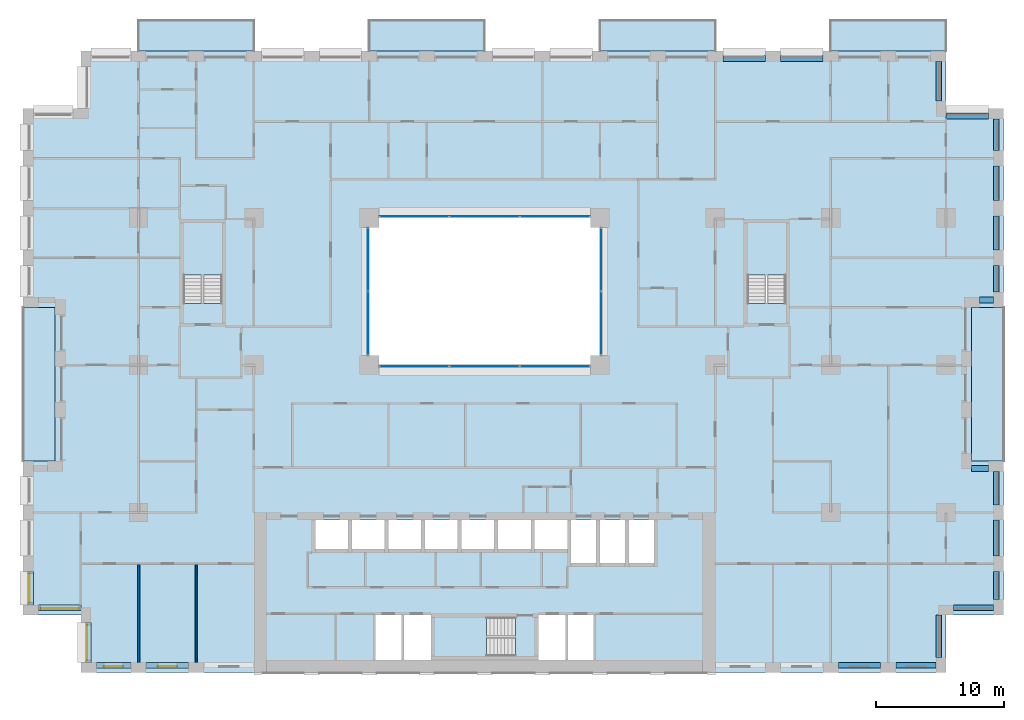
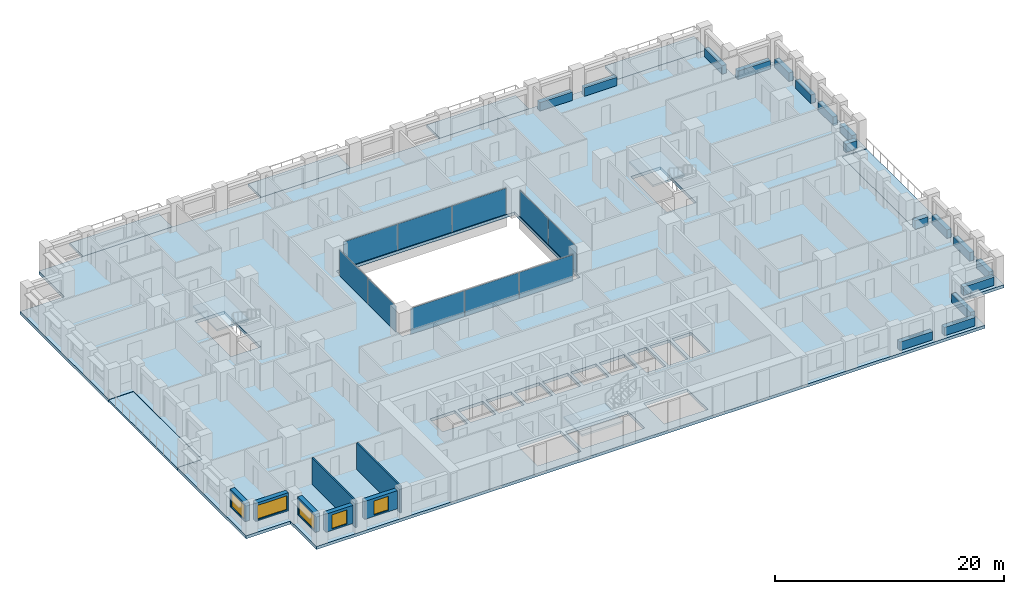
# One storey, part 8 of 19: 17 beams, 10 plates, 10 slabs, 7 walls, 5 windows, 5 openings, 7 elements without a shape of their own.
"""IFC4 building model written with IfcOpenShell, lengths in metres."""

from ifc_helpers import new_model, si_unit, direction, frame, frame_2d, origin, origin_2d, place, context, subcontext, project, spatial, polyline, rectangle, outline, extrude, material, layer, layer_set, material_profile, profile_set, type_object, element, fill, aggregate, save


model = new_model("IFC4")

# Units and contexts
model_context = context("Model", 3, precision=1e-05, world=origin(), true_north=direction((0.0, 1.0)))
body_context = subcontext(model_context, "Body", "Model", "MODEL_VIEW")
ifc_project = project(units=[si_unit("LENGTHUNIT", "METRE"), si_unit("AREAUNIT", "SQUARE_METRE"), si_unit("VOLUMEUNIT", "CUBIC_METRE"), si_unit("PLANEANGLEUNIT", "RADIAN"), si_unit("MASSUNIT", "GRAM", prefix="KILO")], contexts=[model_context])

# Site, building, storey
site_placement = place(None, origin())
site = spatial("IfcSite", under=ifc_project, at=site_placement, CompositionType="ELEMENT")
building_placement = place(site_placement, origin())
building = spatial("IfcBuilding", under=site, at=building_placement, Name="Brigalow Station Residences", CompositionType="ELEMENT")
storey_placement = place(building_placement, frame((0.0, 0.0, 32.10009765625)))
storey = spatial("IfcBuildingStorey", under=building, at=storey_placement, Name="L08", CompositionType="ELEMENT", Elevation=32.10009765625)

# Beams
ifc_material_1 = material(Name="Concrete C65", Category="concrete")
ifc_material_profile = material_profile(ifc_material_1, rectangle(XDim=0.449951171875, YDim=0.89990234375, at=origin_2d()), Name="RC450x900")
ifc_profile_set = profile_set([ifc_material_profile], Name="Concrete C65")
beam_type = type_object("IfcBeamType", Name="SPANDREL BEAM 450x900 C65", PredefinedType="SPANDREL", material=ifc_profile_set)
beam_1_placement = place(storey_placement, frame((63.60009765625, 0.574951171875, 0.449951171875), z_axis=(1.0, 0.0, 0.0), x_axis=(0.0, 1.0, 0.0)))
element("IfcBeam", 1, at=beam_1_placement, inside=storey, type_object=beam_type, Name="L08/spandrel/W-L08-7", PredefinedType="SPANDREL", context=body_context, shape_type="SweptSolid", body=[
    extrude(rectangle(XDim=0.449951171875, YDim=0.89990234375, at=origin_2d()), origin(), (0.0, 0.0, 1.0), 3.2998046875),
])
beam_2_placement = place(storey_placement, frame((68.10009765625, 0.574951171875, 0.449951171875), z_axis=(1.0, 0.0, 0.0), x_axis=(0.0, 1.0, 0.0)))
element("IfcBeam", 2, at=beam_2_placement, inside=storey, type_object=beam_type, Name="L08/spandrel/W-L08-8", PredefinedType="SPANDREL", context=body_context, shape_type="SweptSolid", body=[
    extrude(rectangle(XDim=0.449951171875, YDim=0.89990234375, at=origin_2d()), origin(), (0.0, 0.0, 1.0), 3.099853515625),
])
beam_3_placement = place(storey_placement, frame((71.425048828125, 1.199951171875, 0.449951171875), z_axis=(0.0, 1.0, 0.0), x_axis=(-1.0, 0.0, 0.0)))
element("IfcBeam", 3, at=beam_3_placement, inside=storey, type_object=beam_type, Name="L08/spandrel/W-L08-9", PredefinedType="SPANDREL", context=body_context, shape_type="SweptSolid", body=[
    extrude(rectangle(XDim=0.449951171875, YDim=0.89990234375, at=origin_2d()), origin(), (0.0, 0.0, 1.0), 3.300048828125),
])
beam_4_placement = place(storey_placement, frame((72.60009765625, 5.074951171875, 0.449951171875), z_axis=(1.0, 0.0, 0.0), x_axis=(0.0, 1.0, 0.0)))
element("IfcBeam", 4, at=beam_4_placement, inside=storey, type_object=beam_type, Name="L08/spandrel/W-L08-10", PredefinedType="SPANDREL", context=body_context, shape_type="SweptSolid", body=[
    extrude(rectangle(XDim=0.449951171875, YDim=0.89990234375, at=origin_2d()), origin(), (0.0, 0.0, 1.0), 3.099853515625),
])
beam_5_placement = place(storey_placement, frame((75.925048828125, 5.699951171875, 0.449951171875), z_axis=(0.0, 1.0, 0.0), x_axis=(-1.0, 0.0, 0.0)))
element("IfcBeam", 5, at=beam_5_placement, inside=storey, type_object=beam_type, Name="L08/spandrel/W-L08-11", PredefinedType="SPANDREL", context=body_context, shape_type="SweptSolid", body=[
    extrude(rectangle(XDim=0.449951171875, YDim=0.89990234375, at=origin_2d()), origin(), (0.0, 0.0, 1.0), 2.199951171875),
])
beam_6_placement = place(storey_placement, frame((75.925048828125, 9.10009765625, 0.449951171875), z_axis=(0.0, 1.0, 0.0), x_axis=(-1.0, 0.0, 0.0)))
element("IfcBeam", 6, at=beam_6_placement, inside=storey, type_object=beam_type, Name="L08/spandrel/W-L08-12", PredefinedType="SPANDREL", context=body_context, shape_type="SweptSolid", body=[
    extrude(rectangle(XDim=0.449951171875, YDim=0.89990234375, at=origin_2d()), origin(), (0.0, 0.0, 1.0), 2.7998046875),
])
beam_7_placement = place(storey_placement, frame((75.925048828125, 13.10009765625, 0.449951171875), z_axis=(0.0, 1.0, 0.0), x_axis=(-1.0, 0.0, 0.0)))
element("IfcBeam", 7, at=beam_7_placement, inside=storey, type_object=beam_type, Name="L08/spandrel/W-L08-13", PredefinedType="SPANDREL", context=body_context, shape_type="SweptSolid", body=[
    extrude(rectangle(XDim=0.449951171875, YDim=0.89990234375, at=origin_2d()), origin(), (0.0, 0.0, 1.0), 2.599853515625),
])
beam_8_placement = place(storey_placement, frame((75.300048828125, 15.925048828125, 0.449951171875), z_axis=(-1.0, 0.0, 0.0), x_axis=(0.0, -1.0, 0.0)))
element("IfcBeam", 8, at=beam_8_placement, inside=storey, type_object=beam_type, Name="L08/spandrel/W-L08-14", PredefinedType="SPANDREL", context=body_context, shape_type="SweptSolid", body=[
    extrude(rectangle(XDim=0.449951171875, YDim=0.89990234375, at=origin_2d()), origin(), (0.0, 0.0, 1.0), 1.300048828125),
])
beam_9_placement = place(storey_placement, frame((74.60009765625, 29.074951171875, 0.449951171875), z_axis=(1.0, 0.0, 0.0), x_axis=(0.0, 1.0, 0.0)))
element("IfcBeam", 9, at=beam_9_placement, inside=storey, type_object=beam_type, Name="L08/spandrel/W-L08-18", PredefinedType="SPANDREL", context=body_context, shape_type="SweptSolid", body=[
    extrude(rectangle(XDim=0.449951171875, YDim=0.89990234375, at=origin_2d()), origin(), (0.0, 0.0, 1.0), 1.099853515625),
])
beam_10_placement = place(storey_placement, frame((75.925048828125, 29.699951171875, 0.449951171875), z_axis=(0.0, 1.0, 0.0), x_axis=(-1.0, 0.0, 0.0)))
element("IfcBeam", 10, at=beam_10_placement, inside=storey, type_object=beam_type, Name="L08/spandrel/W-L08-19", PredefinedType="SPANDREL", context=body_context, shape_type="SweptSolid", body=[
    extrude(rectangle(XDim=0.449951171875, YDim=0.89990234375, at=origin_2d()), origin(), (0.0, 0.0, 1.0), 2.074951171875),
])
for number, where, z_axis, x_axis, name in (
    (11, (75.925048828125, 32.97509765625, 0.449951171875), (0.0, 1.0, 0.0), (-1.0, 0.0, 0.0), "L08/spandrel/W-L08-20"),
    (12, (75.925048828125, 36.85009765625, 0.449951171875), (0.0, 1.0, 0.0), (-1.0, 0.0, 0.0), "L08/spandrel/W-L08-21"),
):
    element("IfcBeam", number, at=place(storey_placement, frame(where, z_axis=z_axis, x_axis=x_axis)), inside=storey, type_object=beam_type, Name=name, PredefinedType="SPANDREL", context=body_context, shape_type="SweptSolid", body=[
        extrude(rectangle(XDim=0.449951171875, YDim=0.89990234375, at=origin_2d()), origin(), (0.0, 0.0, 1.0), 2.6748046875),
    ])
beam_11_placement = place(storey_placement, frame((75.925048828125, 40.72509765625, 0.449951171875), z_axis=(0.0, 1.0, 0.0), x_axis=(-1.0, 0.0, 0.0)))
element("IfcBeam", 13, at=beam_11_placement, inside=storey, type_object=beam_type, Name="L08/spandrel/W-L08-22", PredefinedType="SPANDREL", context=body_context, shape_type="SweptSolid", body=[
    extrude(rectangle(XDim=0.449951171875, YDim=0.89990234375, at=origin_2d()), origin(), (0.0, 0.0, 1.0), 2.474853515625),
])
beam_12_placement = place(storey_placement, frame((75.300048828125, 43.425048828125, 0.449951171875), z_axis=(-1.0, 0.0, 0.0), x_axis=(0.0, -1.0, 0.0)))
element("IfcBeam", 14, at=beam_12_placement, inside=storey, type_object=beam_type, Name="L08/spandrel/W-L08-23", PredefinedType="SPANDREL", context=body_context, shape_type="SweptSolid", body=[
    extrude(rectangle(XDim=0.449951171875, YDim=0.89990234375, at=origin_2d()), origin(), (0.0, 0.0, 1.0), 3.300048828125),
])
beam_13_placement = place(storey_placement, frame((71.425048828125, 44.60009765625, 0.449951171875), z_axis=(0.0, 1.0, 0.0), x_axis=(-1.0, 0.0, 0.0)))
element("IfcBeam", 15, at=beam_13_placement, inside=storey, type_object=beam_type, Name="L08/spandrel/W-L08-24", PredefinedType="SPANDREL", context=body_context, shape_type="SweptSolid", body=[
    extrude(rectangle(XDim=0.449951171875, YDim=0.89990234375, at=origin_2d()), origin(), (0.0, 0.0, 1.0), 3.099853515625),
])
for number, where, z_axis, x_axis, name in (
    (16, (62.39990234375, 47.925048828125, 0.449951171875), (-1.0, 0.0, 0.0), (0.0, -1.0, 0.0), "L08/spandrel/W-L08-27"),
    (17, (57.89990234375, 47.925048828125, 0.449951171875), (-1.0, 0.0, 0.0), (0.0, -1.0, 0.0), "L08/spandrel/W-L08-28"),
):
    element("IfcBeam", number, at=place(storey_placement, frame(where, z_axis=z_axis, x_axis=x_axis)), inside=storey, type_object=beam_type, Name=name, PredefinedType="SPANDREL", context=body_context, shape_type="SweptSolid", body=[
        extrude(rectangle(XDim=0.449951171875, YDim=0.89990234375, at=origin_2d()), origin(), (0.0, 0.0, 1.0), 3.2998046875),
    ])

# Curtain wall, plates
ifc_material_2 = material(Name="Aluminium", Category="aluminium")
ifc_layer_1 = layer(ifc_material_2, 0.14990234375)
ifc_layer_set_1 = layer_set([ifc_layer_1], Name="ATRIUM FIRE-RATED GLAZING CURTAIN WALL")
curtain_wall_type = type_object("IfcCurtainWallType", Name="ATRIUM FIRE-RATED GLAZING CURTAIN WALL", PredefinedType="NOTDEFINED", material=ifc_layer_set_1)
curtain_wall_1_placement = place(storey_placement, origin())
curtain_wall_1 = element("IfcCurtainWall", 18, at=curtain_wall_1_placement, inside=storey, type_object=curtain_wall_type, Name="L08/cw/atrium-S", PredefinedType="NOTDEFINED")
ifc_material_3 = material(Name="Fire-resisting laminated glazing, FRL -/60/-", Category="glass")
ifc_layer_2 = layer(ifc_material_3, 0.031982421875)
ifc_layer_set_2 = layer_set([ifc_layer_2], Name="ATRIUM FIRE-RATED GLAZING PANEL 32")
plate_type = type_object("IfcPlateType", Name="ATRIUM FIRE-RATED GLAZING PANEL 32", PredefinedType="CURTAIN_PANEL", material=ifc_layer_set_2)
plate_1_placement = place(storey_placement, frame((30.514892578125, 23.89990234375, 0.0), z_axis=(0.0, 0.0, 1.0), x_axis=(1.0, 0.0, 0.0)))
plate_1 = element("IfcPlate", 19, at=plate_1_placement, type_object=plate_type, Name="L08/cw/atrium-S/P00-00", PredefinedType="CURTAIN_PANEL", context=body_context, shape_type="SweptSolid", body=[
    extrude(rectangle(XDim=5.409912109375, YDim=0.031982421875, at=origin_2d()), origin(), (0.0, 0.0, 1.0), 2.77001953125),
])
plate_2_placement = place(storey_placement, frame((36.0, 23.89990234375, 0.0), z_axis=(0.0, 0.0, 1.0), x_axis=(1.0, 0.0, 0.0)))
plate_2 = element("IfcPlate", 20, at=plate_2_placement, type_object=plate_type, Name="L08/cw/atrium-S/P01-00", PredefinedType="CURTAIN_PANEL", context=body_context, shape_type="SweptSolid", body=[
    extrude(rectangle(XDim=5.43994140625, YDim=0.031982421875, at=origin_2d()), origin(), (0.0, 0.0, 1.0), 2.77001953125),
])
plate_3_placement = place(storey_placement, frame((41.485107421875, 23.89990234375, 0.0), z_axis=(0.0, 0.0, 1.0), x_axis=(1.0, 0.0, 0.0)))
plate_3 = element("IfcPlate", 21, at=plate_3_placement, type_object=plate_type, Name="L08/cw/atrium-S/P02-00", PredefinedType="CURTAIN_PANEL", context=body_context, shape_type="SweptSolid", body=[
    extrude(rectangle(XDim=5.409912109375, YDim=0.031982421875, at=origin_2d()), origin(), (0.0, 0.0, 1.0), 2.77001953125),
])
aggregate(curtain_wall_1, [plate_1, plate_2, plate_3])

curtain_wall_2_placement = place(storey_placement, origin())
curtain_wall_2 = element("IfcCurtainWall", 22, at=curtain_wall_2_placement, inside=storey, type_object=curtain_wall_type, Name="L08/cw/atrium-E", PredefinedType="NOTDEFINED")
plate_4_placement = place(storey_placement, frame((45.10009765625, 27.264892578125, 0.0), z_axis=(0.0, 0.0, 1.0), x_axis=(0.0, 1.0, 0.0)))
plate_4 = element("IfcPlate", 23, at=plate_4_placement, type_object=plate_type, Name="L08/cw/atrium-E/P00-00", PredefinedType="CURTAIN_PANEL", context=body_context, shape_type="SweptSolid", body=[
    extrude(rectangle(XDim=4.909912109375, YDim=0.031982421875, at=origin_2d()), origin(), (0.0, 0.0, 1.0), 2.77001953125),
])
plate_5_placement = place(storey_placement, frame((45.10009765625, 32.235107421875, 0.0), z_axis=(0.0, 0.0, 1.0), x_axis=(0.0, 1.0, 0.0)))
plate_5 = element("IfcPlate", 24, at=plate_5_placement, type_object=plate_type, Name="L08/cw/atrium-E/P01-00", PredefinedType="CURTAIN_PANEL", context=body_context, shape_type="SweptSolid", body=[
    extrude(rectangle(XDim=4.909912109375, YDim=0.031982421875, at=origin_2d()), origin(), (0.0, 0.0, 1.0), 2.77001953125),
])
aggregate(curtain_wall_2, [plate_4, plate_5])

curtain_wall_3_placement = place(storey_placement, origin())
curtain_wall_3 = element("IfcCurtainWall", 25, at=curtain_wall_3_placement, inside=storey, type_object=curtain_wall_type, Name="L08/cw/atrium-N", PredefinedType="NOTDEFINED")
plate_6_placement = place(storey_placement, frame((41.485107421875, 35.60009765625, 0.0), z_axis=(0.0, 0.0, 1.0), x_axis=(-1.0, 0.0, 0.0)))
plate_6 = element("IfcPlate", 26, at=plate_6_placement, type_object=plate_type, Name="L08/cw/atrium-N/P00-00", PredefinedType="CURTAIN_PANEL", context=body_context, shape_type="SweptSolid", body=[
    extrude(rectangle(XDim=5.409912109375, YDim=0.031982421875, at=origin_2d()), origin(), (0.0, 0.0, 1.0), 2.77001953125),
])
plate_7_placement = place(storey_placement, frame((36.0, 35.60009765625, 0.0), z_axis=(0.0, 0.0, 1.0), x_axis=(-1.0, 0.0, 0.0)))
plate_7 = element("IfcPlate", 27, at=plate_7_placement, type_object=plate_type, Name="L08/cw/atrium-N/P01-00", PredefinedType="CURTAIN_PANEL", context=body_context, shape_type="SweptSolid", body=[
    extrude(rectangle(XDim=5.43994140625, YDim=0.031982421875, at=origin_2d()), origin(), (0.0, 0.0, 1.0), 2.77001953125),
])
plate_8_placement = place(storey_placement, frame((30.514892578125, 35.60009765625, 0.0), z_axis=(0.0, 0.0, 1.0), x_axis=(-1.0, 0.0, 0.0)))
plate_8 = element("IfcPlate", 28, at=plate_8_placement, type_object=plate_type, Name="L08/cw/atrium-N/P02-00", PredefinedType="CURTAIN_PANEL", context=body_context, shape_type="SweptSolid", body=[
    extrude(rectangle(XDim=5.409912109375, YDim=0.031982421875, at=origin_2d()), origin(), (0.0, 0.0, 1.0), 2.77001953125),
])
aggregate(curtain_wall_3, [plate_6, plate_7, plate_8])

curtain_wall_4_placement = place(storey_placement, origin())
curtain_wall_4 = element("IfcCurtainWall", 29, at=curtain_wall_4_placement, inside=storey, type_object=curtain_wall_type, Name="L08/cw/atrium-W", PredefinedType="NOTDEFINED")
plate_9_placement = place(storey_placement, frame((26.89990234375, 32.235107421875, 0.0), z_axis=(0.0, 0.0, 1.0), x_axis=(0.0, -1.0, 0.0)))
plate_9 = element("IfcPlate", 30, at=plate_9_placement, type_object=plate_type, Name="L08/cw/atrium-W/P00-00", PredefinedType="CURTAIN_PANEL", context=body_context, shape_type="SweptSolid", body=[
    extrude(rectangle(XDim=4.909912109375, YDim=0.031982421875, at=origin_2d()), origin(), (0.0, 0.0, 1.0), 2.77001953125),
])
plate_10_placement = place(storey_placement, frame((26.89990234375, 27.264892578125, 0.0), z_axis=(0.0, 0.0, 1.0), x_axis=(0.0, -1.0, 0.0)))
plate_10 = element("IfcPlate", 31, at=plate_10_placement, type_object=plate_type, Name="L08/cw/atrium-W/P01-00", PredefinedType="CURTAIN_PANEL", context=body_context, shape_type="SweptSolid", body=[
    extrude(rectangle(XDim=4.909912109375, YDim=0.031982421875, at=origin_2d()), origin(), (0.0, 0.0, 1.0), 2.77001953125),
])
aggregate(curtain_wall_4, [plate_9, plate_10])

# Slabs
ifc_material_4 = material(Name="Concrete C50 precast", Category="concrete")
ifc_layer_3 = layer(ifc_material_4, 0.25)
ifc_layer_set_3 = layer_set([ifc_layer_3], Name="BALCONY SLAB 250")
slab_type_1 = type_object("IfcSlabType", Name="BALCONY SLAB 250", PredefinedType="USERDEFINED", material=ifc_layer_set_3)
slab_1_placement = place(storey_placement, frame((0.0, 0.0, -0.2900390625)))
element("IfcSlab", 32, at=slab_1_placement, inside=storey, type_object=slab_type_1, Name="L08/balcony/1", ObjectType="BALCONY", PredefinedType="USERDEFINED", context=body_context, shape_type="SweptSolid", body=[
    extrude(outline(polyline([(74.0, 16.5), (76.5, 16.5), (76.5, 28.5), (74.0, 28.5), (74.0, 16.5)])), origin(), (0.0, 0.0, 1.0), 0.25),
])
slab_2_placement = place(storey_placement, frame((0.0, 0.0, -0.2900390625)))
element("IfcSlab", 33, at=slab_2_placement, inside=storey, type_object=slab_type_1, Name="L08/balcony/2", ObjectType="BALCONY", PredefinedType="USERDEFINED", context=body_context, shape_type="SweptSolid", body=[
    extrude(outline(polyline([(72.0, 48.5), (72.0, 50.89990234375), (63.0, 50.89990234375), (63.0, 48.5), (72.0, 48.5)])), origin(), (0.0, 0.0, 1.0), 0.25),
])
slab_3_placement = place(storey_placement, frame((0.0, 0.0, -0.2900390625)))
element("IfcSlab", 34, at=slab_3_placement, inside=storey, type_object=slab_type_1, Name="L08/balcony/3", ObjectType="BALCONY", PredefinedType="USERDEFINED", context=body_context, shape_type="SweptSolid", body=[
    extrude(outline(polyline([(54.0, 48.5), (54.0, 50.89990234375), (45.0, 50.89990234375), (45.0, 48.5), (54.0, 48.5)])), origin(), (0.0, 0.0, 1.0), 0.25),
])
slab_4_placement = place(storey_placement, frame((0.0, 0.0, -0.2900390625)))
element("IfcSlab", 35, at=slab_4_placement, inside=storey, type_object=slab_type_1, Name="L08/balcony/4", ObjectType="BALCONY", PredefinedType="USERDEFINED", context=body_context, shape_type="SweptSolid", body=[
    extrude(outline(polyline([(36.0, 48.5), (36.0, 50.89990234375), (27.0, 50.89990234375), (27.0, 48.5), (36.0, 48.5)])), origin(), (0.0, 0.0, 1.0), 0.25),
])
slab_5_placement = place(storey_placement, frame((0.0, 0.0, -0.2900390625)))
element("IfcSlab", 36, at=slab_5_placement, inside=storey, type_object=slab_type_1, Name="L08/balcony/5", ObjectType="BALCONY", PredefinedType="USERDEFINED", context=body_context, shape_type="SweptSolid", body=[
    extrude(outline(polyline([(18.0, 48.5), (18.0, 50.89990234375), (9.0, 50.89990234375), (9.0, 48.5), (18.0, 48.5)])), origin(), (0.0, 0.0, 1.0), 0.25),
])
slab_6_placement = place(storey_placement, frame((0.0, 0.0, -0.2900390625)))
element("IfcSlab", 37, at=slab_6_placement, inside=storey, type_object=slab_type_1, Name="L08/balcony/6", ObjectType="BALCONY", PredefinedType="USERDEFINED", context=body_context, shape_type="SweptSolid", body=[
    extrude(outline(polyline([(2.5, 28.5), (0.0, 28.5), (0.0, 16.5), (2.5, 16.5), (2.5, 28.5)])), origin(), (0.0, 0.0, 1.0), 0.25),
])
ifc_material_5 = material(Name="Concrete C50", Category="concrete")
ifc_layer_4 = layer(ifc_material_5, 0.320068359375)
ifc_layer_set_4 = layer_set([ifc_layer_4], Name="POST-TENSIONED FLAT PLATE 320 C50")
slab_type_2 = type_object("IfcSlabType", Name="POST-TENSIONED FLAT PLATE 320 C50", PredefinedType="FLOOR", material=ifc_layer_set_4)
slab_7_placement = place(storey_placement, frame((0.0, 0.0, -0.320068359375)))
element("IfcSlab", 38, at=slab_7_placement, inside=storey, type_object=slab_type_2, Name="FLOOR SLAB L08", PredefinedType="FLOOR", context=body_context, shape_type="SweptSolid", body=[
    extrude(outline(polyline([(4.5, 0.0), (72.0, 0.0), (72.0, 4.5), (76.5, 4.5), (76.5, 16.5), (74.0, 16.5), (74.0, 28.5), (76.5, 28.5), (76.5, 44.0), (72.0, 44.0), (72.0, 48.5), (4.5, 48.5), (4.5, 44.0), (0.0, 44.0), (0.0, 28.5), (2.5, 28.5), (2.5, 16.5), (0.0, 16.5), (0.0, 4.5), (4.5, 4.5), (4.5, 0.0)]), holes=[polyline([(15.4951171875, 35.094970703125), (15.4951171875, 28.804931640625), (12.5048828125, 28.804931640625), (12.5048828125, 35.094970703125), (15.4951171875, 35.094970703125)]), polyline([(22.800048828125, 11.89990234375), (25.35009765625, 11.89990234375), (25.35009765625, 9.64990234375), (22.800048828125, 9.64990234375), (22.800048828125, 11.89990234375)]), polyline([(25.64990234375, 11.89990234375), (28.199951171875, 11.89990234375), (28.199951171875, 9.64990234375), (25.64990234375, 9.64990234375), (25.64990234375, 11.89990234375)]), polyline([(28.5, 11.89990234375), (31.050048828125, 11.89990234375), (31.050048828125, 9.64990234375), (28.5, 9.64990234375), (28.5, 11.89990234375)]), polyline([(29.60009765625, 1.0), (27.39990234375, 1.0), (27.39990234375, 4.60009765625), (29.60009765625, 4.60009765625), (31.800048828125, 4.60009765625), (31.800048828125, 1.0), (29.60009765625, 1.0)]), polyline([(31.35009765625, 11.89990234375), (33.89990234375, 11.89990234375), (33.89990234375, 9.64990234375), (31.35009765625, 9.64990234375), (31.35009765625, 11.89990234375)]), polyline([(32.10498046875, 4.294921875), (38.39501953125, 4.294921875), (38.39501953125, 1.304931640625), (32.10498046875, 1.304931640625), (32.10498046875, 4.294921875)]), polyline([(36.75, 11.89990234375), (36.75, 9.64990234375), (34.199951171875, 9.64990234375), (34.199951171875, 11.89990234375), (36.75, 11.89990234375)]), polyline([(37.050048828125, 11.89990234375), (39.60009765625, 11.89990234375), (39.60009765625, 9.64990234375), (37.050048828125, 9.64990234375), (37.050048828125, 11.89990234375)]), polyline([(39.89990234375, 11.89990234375), (42.449951171875, 11.89990234375), (42.449951171875, 9.64990234375), (39.89990234375, 9.64990234375), (39.89990234375, 11.89990234375)]), polyline([(42.39990234375, 1.0), (40.199951171875, 1.0), (40.199951171875, 4.60009765625), (42.39990234375, 4.60009765625), (44.60009765625, 4.60009765625), (44.60009765625, 1.0), (42.39990234375, 1.0)]), polyline([(42.75, 11.89990234375), (44.699951171875, 11.89990234375), (44.699951171875, 8.550048828125), (42.75, 8.550048828125), (42.75, 11.89990234375)]), polyline([(45.0, 11.89990234375), (46.949951171875, 11.89990234375), (46.949951171875, 8.550048828125), (45.0, 8.550048828125), (45.0, 11.89990234375)]), polyline([(45.0, 35.5), (45.0, 24.0), (27.0, 24.0), (27.0, 35.5), (45.0, 35.5)]), polyline([(47.25, 11.89990234375), (49.199951171875, 11.89990234375), (49.199951171875, 8.550048828125), (47.25, 8.550048828125), (47.25, 11.89990234375)]), polyline([(59.4951171875, 35.094970703125), (59.4951171875, 28.804931640625), (56.5048828125, 28.804931640625), (56.5048828125, 35.094970703125), (59.4951171875, 35.094970703125)])]), origin(), (0.0, 0.0, 1.0), 0.320068359375),
])

# Stair, slab
ifc_material_6 = material(Name="Concrete C50", Category="concrete")
stair_type = type_object("IfcStairType", Name="EXIT STAIR 1400 2 FLIGHT", PredefinedType="HALF_TURN_STAIR", material=ifc_material_6)
stair_1_placement = place(storey_placement, origin())
stair_1 = element("IfcStair", 39, at=stair_1_placement, inside=storey, type_object=stair_type, Name="EXIT STAIR S2 L08", PredefinedType="HALF_TURN_STAIR")
ifc_material_7 = material(Name="Concrete C50", Category="concrete")
ifc_layer_5 = layer(ifc_material_7, 0.199951171875)
ifc_layer_set_5 = layer_set([ifc_layer_5], Name="STAIR LANDING 200")
slab_type_3 = type_object("IfcSlabType", Name="STAIR LANDING 200", PredefinedType="LANDING", material=ifc_layer_set_5)
slab_8_placement = place(storey_placement, frame((0.0, 0.0, 1.375)))
slab_8 = element("IfcSlab", 40, at=slab_8_placement, type_object=slab_type_3, Name="ST-2 landing 1", PredefinedType="LANDING", context=body_context, shape_type="SweptSolid", body=[
    extrude(outline(polyline([(32.0, 1.199951171875), (36.159912109375, 1.199951171875), (36.159912109375, 4.39990234375), (32.0, 4.39990234375), (32.0, 1.199951171875)])), origin(), (0.0, 0.0, 1.0), 0.199951171875),
])
aggregate(stair_1, [slab_8])

stair_2_placement = place(storey_placement, origin())
stair_2 = element("IfcStair", 41, at=stair_2_placement, inside=storey, type_object=stair_type, Name="EXIT STAIR S1 L08", PredefinedType="HALF_TURN_STAIR")
slab_9_placement = place(storey_placement, frame((0.0, 0.0, 1.375)))
slab_9 = element("IfcSlab", 42, at=slab_9_placement, type_object=slab_type_3, Name="ST-1 landing 1", PredefinedType="LANDING", context=body_context, shape_type="SweptSolid", body=[
    extrude(outline(polyline([(12.39990234375, 31.0400390625), (15.60009765625, 31.0400390625), (15.60009765625, 35.199951171875), (12.39990234375, 35.199951171875), (12.39990234375, 31.0400390625)])), origin(), (0.0, 0.0, 1.0), 0.199951171875),
])
aggregate(stair_2, [slab_9])

stair_3_placement = place(storey_placement, origin())
stair_3 = element("IfcStair", 43, at=stair_3_placement, inside=storey, type_object=stair_type, Name="EXIT STAIR S3 L08", PredefinedType="HALF_TURN_STAIR")
slab_10_placement = place(storey_placement, frame((0.0, 0.0, 1.375)))
slab_10 = element("IfcSlab", 44, at=slab_10_placement, type_object=slab_type_3, Name="ST-3 landing 1", PredefinedType="LANDING", context=body_context, shape_type="SweptSolid", body=[
    extrude(outline(polyline([(56.39990234375, 31.0400390625), (59.60009765625, 31.0400390625), (59.60009765625, 35.199951171875), (56.39990234375, 35.199951171875), (56.39990234375, 31.0400390625)])), origin(), (0.0, 0.0, 1.0), 0.199951171875),
])
aggregate(stair_3, [slab_10])

# Wall, opening, window
ifc_material_8 = material(Name="Clay brick masonry", Category="masonry")
ifc_layer_6 = layer(ifc_material_8, 0.449951171875)
ifc_layer_set_6 = layer_set([ifc_layer_6], Name="BRICK INFILL WALL 450")
wall_type_1 = type_object("IfcWallType", Name="BRICK INFILL WALL 450", PredefinedType="SOLIDWALL", material=ifc_layer_set_6)
wall_1_placement = place(storey_placement, frame((5.699951171875, 0.574951171875, 0.89990234375), z_axis=(0.0, 0.0, 1.0), x_axis=(1.0, 0.0, 0.0)))
wall_1 = element("IfcWall", 45, at=wall_1_placement, inside=storey, type_object=wall_type_1, Name="L08/ewall/W-L08-1", PredefinedType="SOLIDWALL", context=body_context, shape_type="SweptSolid", body=[
    extrude(rectangle(XDim=2.699951171875, YDim=0.449951171875, at=frame_2d((1.35009765625, 0.0))), origin(), (0.0, 0.0, 1.0), 1.929931640625),
])
opening_1_placement = place(wall_1_placement, frame((0.60009765625, 0.0, 0.14990234375)))
opening_1 = element("IfcOpeningElement", 46, at=opening_1_placement, cuts=wall_1, Name="Opening WT-1", PredefinedType="OPENING", context=body_context, shape_type="SweptSolid", body=[
    extrude(rectangle(XDim=1.5, YDim=1.5, at=frame_2d((0.75, 0.75))), frame((0.0, 0.23486328125, 0.0), z_axis=(0.0, -1.0, 0.0), x_axis=(1.0, 0.0, 0.0)), (0.0, 0.0, 1.0), 0.469970703125),
])
ifc_material_9 = material(Name="Anodised aluminium frame with double glazing", Category="aluminium")
window_type_1 = type_object("IfcWindowType", Name="WINDOW 1500x1500", PartitioningType="SINGLE_PANEL", PredefinedType="WINDOW", material=ifc_material_9)
window_1_placement = place(opening_1_placement, origin())
window_1 = element("IfcWindow", 47, at=window_1_placement, inside=storey, type_object=window_type_1, Name="L08/window/W-L08-1", OverallHeight=1.5, OverallWidth=1.5, PartitioningType="SINGLE_PANEL", PredefinedType="WINDOW", context=body_context, shape_type="SweptSolid", body=[
    extrude(rectangle(XDim=1.5, YDim=1.5, at=frame_2d((0.75, 0.75))), frame((0.0, -0.06494140625, 0.0), z_axis=(0.0, -1.0, 0.0), x_axis=(1.0, 0.0, 0.0)), (0.0, 0.0, 1.0), 0.06005859375),
])
fill(opening_1, window_1)

wall_2_placement = place(storey_placement, frame((9.60009765625, 0.574951171875, 0.89990234375), z_axis=(0.0, 0.0, 1.0), x_axis=(1.0, 0.0, 0.0)))
wall_2 = element("IfcWall", 48, at=wall_2_placement, inside=storey, type_object=wall_type_1, Name="L08/ewall/W-L08-2", PredefinedType="SOLIDWALL", context=body_context, shape_type="SweptSolid", body=[
    extrude(rectangle(XDim=3.2998046875, YDim=0.449951171875, at=frame_2d((1.64990234375, 0.0))), origin(), (0.0, 0.0, 1.0), 1.929931640625),
])
opening_2_placement = place(wall_2_placement, frame((0.89990234375, 0.0, 0.14990234375)))
opening_2 = element("IfcOpeningElement", 49, at=opening_2_placement, cuts=wall_2, Name="Opening WT-1", PredefinedType="OPENING", context=body_context, shape_type="SweptSolid", body=[
    extrude(rectangle(XDim=1.5, YDim=1.5, at=frame_2d((0.75, 0.75))), frame((0.0, 0.23486328125, 0.0), z_axis=(0.0, -1.0, 0.0), x_axis=(1.0, 0.0, 0.0)), (0.0, 0.0, 1.0), 0.469970703125),
])
window_2_placement = place(opening_2_placement, origin())
window_2 = element("IfcWindow", 50, at=window_2_placement, inside=storey, type_object=window_type_1, Name="L08/window/W-L08-2", OverallHeight=1.5, OverallWidth=1.5, PartitioningType="SINGLE_PANEL", PredefinedType="WINDOW", context=body_context, shape_type="SweptSolid", body=[
    extrude(rectangle(XDim=1.5, YDim=1.5, at=frame_2d((0.75, 0.75))), frame((0.0, -0.06494140625, 0.0), z_axis=(0.0, -1.0, 0.0), x_axis=(1.0, 0.0, 0.0)), (0.0, 0.0, 1.0), 0.06005859375),
])
fill(opening_2, window_2)

wall_3_placement = place(storey_placement, frame((0.574951171875, 7.89990234375, 0.89990234375), z_axis=(0.0, 0.0, 1.0), x_axis=(0.0, -1.0, 0.0)))
wall_3 = element("IfcWall", 51, at=wall_3_placement, inside=storey, type_object=wall_type_1, Name="L08/ewall/W-L08-53", PredefinedType="SOLIDWALL", context=body_context, shape_type="SweptSolid", body=[
    extrude(rectangle(XDim=2.599853515625, YDim=0.449951171875, at=frame_2d((1.2998046875, 0.0))), origin(), (0.0, 0.0, 1.0), 1.929931640625),
])
opening_3_placement = place(wall_3_placement, frame((0.175048828125, 0.0, 0.14990234375)))
opening_3 = element("IfcOpeningElement", 52, at=opening_3_placement, cuts=wall_3, Name="Opening WT-6", PredefinedType="OPENING", context=body_context, shape_type="SweptSolid", body=[
    extrude(rectangle(XDim=2.25, YDim=1.5, at=frame_2d((1.125, 0.75))), frame((0.0, 0.23486328125, 0.0), z_axis=(0.0, -1.0, 0.0), x_axis=(1.0, 0.0, 0.0)), (0.0, 0.0, 1.0), 0.469970703125),
])
ifc_material_10 = material(Name="Anodised aluminium frame with double glazing", Category="aluminium")
window_type_2 = type_object("IfcWindowType", Name="WINDOW 2250x1500", PartitioningType="SINGLE_PANEL", PredefinedType="WINDOW", material=ifc_material_10)
window_3_placement = place(opening_3_placement, origin())
window_3 = element("IfcWindow", 53, at=window_3_placement, inside=storey, type_object=window_type_2, Name="L08/window/W-L08-53", OverallHeight=1.5, OverallWidth=2.25, PartitioningType="SINGLE_PANEL", PredefinedType="WINDOW", context=body_context, shape_type="SweptSolid", body=[
    extrude(rectangle(XDim=2.25, YDim=1.5, at=frame_2d((1.125, 0.75))), frame((0.0, -0.06494140625, 0.0), z_axis=(0.0, -1.0, 0.0), x_axis=(1.0, 0.0, 0.0)), (0.0, 0.0, 1.0), 0.06005859375),
])
fill(opening_3, window_3)

wall_4_placement = place(storey_placement, frame((1.199951171875, 5.074951171875, 0.89990234375), z_axis=(0.0, 0.0, 1.0), x_axis=(1.0, 0.0, 0.0)))
wall_4 = element("IfcWall", 54, at=wall_4_placement, inside=storey, type_object=wall_type_1, Name="L08/ewall/W-L08-54", PredefinedType="SOLIDWALL", context=body_context, shape_type="SweptSolid", body=[
    extrude(rectangle(XDim=3.300048828125, YDim=0.449951171875, at=frame_2d((1.64990234375, 0.0))), origin(), (0.0, 0.0, 1.0), 1.929931640625),
])
opening_4_placement = place(wall_4_placement, frame((0.14990234375, 0.0, 0.14990234375)))
opening_4 = element("IfcOpeningElement", 55, at=opening_4_placement, cuts=wall_4, Name="Opening WT-2", PredefinedType="OPENING", context=body_context, shape_type="SweptSolid", body=[
    extrude(rectangle(XDim=3.0, YDim=1.5, at=frame_2d((1.5, 0.75))), frame((0.0, 0.23486328125, 0.0), z_axis=(0.0, -1.0, 0.0), x_axis=(1.0, 0.0, 0.0)), (0.0, 0.0, 1.0), 0.469970703125),
])
ifc_material_11 = material(Name="Anodised aluminium frame with double glazing", Category="aluminium")
window_type_3 = type_object("IfcWindowType", Name="WINDOW 3000x1500", PartitioningType="SINGLE_PANEL", PredefinedType="WINDOW", material=ifc_material_11)
window_4_placement = place(opening_4_placement, origin())
window_4 = element("IfcWindow", 56, at=window_4_placement, inside=storey, type_object=window_type_3, Name="L08/window/W-L08-54", OverallHeight=1.5, OverallWidth=3.0, PartitioningType="SINGLE_PANEL", PredefinedType="WINDOW", context=body_context, shape_type="SweptSolid", body=[
    extrude(rectangle(XDim=3.0, YDim=1.5, at=frame_2d((1.5, 0.75))), frame((0.0, -0.06494140625, 0.0), z_axis=(0.0, -1.0, 0.0), x_axis=(1.0, 0.0, 0.0)), (0.0, 0.0, 1.0), 0.06005859375),
])
fill(opening_4, window_4)

wall_5_placement = place(storey_placement, frame((5.074951171875, 3.89990234375, 0.89990234375), z_axis=(0.0, 0.0, 1.0), x_axis=(0.0, -1.0, 0.0)))
wall_5 = element("IfcWall", 57, at=wall_5_placement, inside=storey, type_object=wall_type_1, Name="L08/ewall/W-L08-55", PredefinedType="SOLIDWALL", context=body_context, shape_type="SweptSolid", body=[
    extrude(rectangle(XDim=3.099853515625, YDim=0.449951171875, at=frame_2d((1.5498046875, 0.0))), origin(), (0.0, 0.0, 1.0), 1.929931640625),
])
opening_5_placement = place(wall_5_placement, frame((0.175048828125, 0.0, 0.14990234375)))
opening_5 = element("IfcOpeningElement", 58, at=opening_5_placement, cuts=wall_5, Name="Opening WT-3", PredefinedType="OPENING", context=body_context, shape_type="SweptSolid", body=[
    extrude(rectangle(XDim=2.75, YDim=1.5, at=frame_2d((1.375, 0.75))), frame((0.0, 0.23486328125, 0.0), z_axis=(0.0, -1.0, 0.0), x_axis=(1.0, 0.0, 0.0)), (0.0, 0.0, 1.0), 0.469970703125),
])
ifc_material_12 = material(Name="Anodised aluminium frame with double glazing", Category="aluminium")
window_type_4 = type_object("IfcWindowType", Name="WINDOW 2750x1500", PartitioningType="SINGLE_PANEL", PredefinedType="WINDOW", material=ifc_material_12)
window_5_placement = place(opening_5_placement, origin())
window_5 = element("IfcWindow", 59, at=window_5_placement, inside=storey, type_object=window_type_4, Name="L08/window/W-L08-55", OverallHeight=1.5, OverallWidth=2.75, PartitioningType="SINGLE_PANEL", PredefinedType="WINDOW", context=body_context, shape_type="SweptSolid", body=[
    extrude(rectangle(XDim=2.75, YDim=1.5, at=frame_2d((1.375, 0.75))), frame((0.0, -0.06494140625, 0.0), z_axis=(0.0, -1.0, 0.0), x_axis=(1.0, 0.0, 0.0)), (0.0, 0.0, 1.0), 0.06005859375),
])
fill(opening_5, window_5)

# Walls
ifc_material_13 = material(Name="Plasterboard on steel stud partition", Category="steel")
ifc_layer_7 = layer(ifc_material_13, 0.14990234375)
ifc_layer_set_7 = layer_set([ifc_layer_7], Name="FLAT PARTITION 150")
wall_type_2 = type_object("IfcWallType", Name="FLAT PARTITION 150", PredefinedType="PARTITIONING", material=ifc_layer_set_7)
for number, where, z_axis, x_axis, name in (
    (60, (9.0, 0.800048828125, 0.0), (0.0, 0.0, 1.0), (0.0, 1.0, 0.0), "PW-1B50"),
    (61, (13.5, 0.800048828125, 0.0), (0.0, 0.0, 1.0), (0.0, 1.0, 0.0), "PW-1B56"),
):
    element("IfcWall", number, at=place(storey_placement, frame(where, z_axis=z_axis, x_axis=x_axis)), inside=storey, type_object=wall_type_2, Name=name, PredefinedType="PARTITIONING", context=body_context, shape_type="SweptSolid", body=[
        extrude(rectangle(XDim=7.625, YDim=0.14990234375, at=frame_2d((3.8125, 0.0))), origin(), (0.0, 0.0, 1.0), 2.829833984375),
    ])

save(model, "model.ifc")
